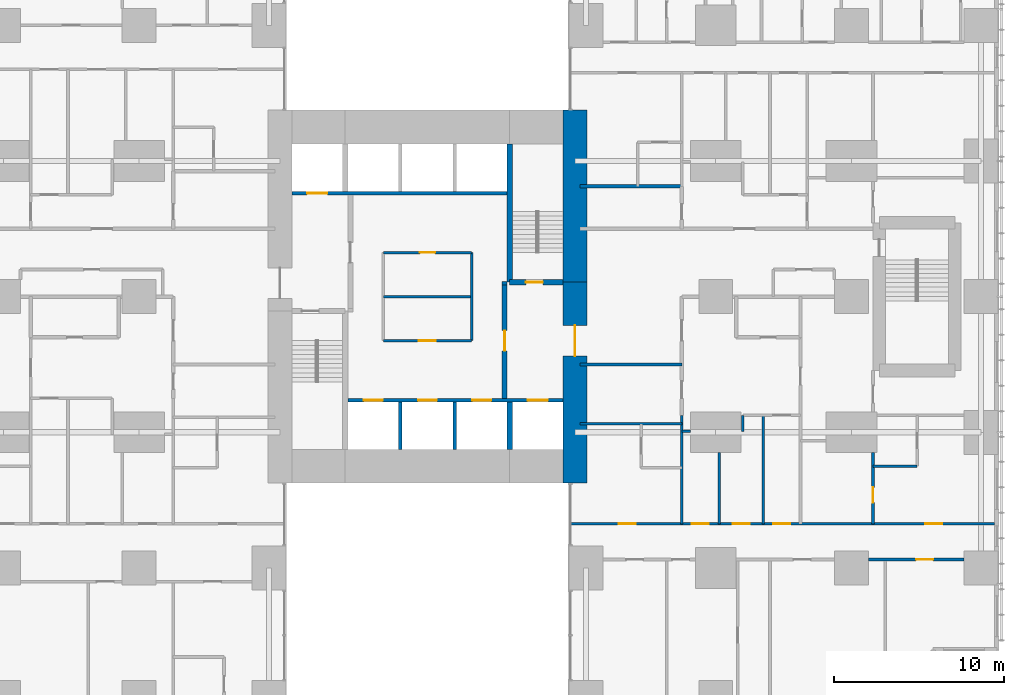
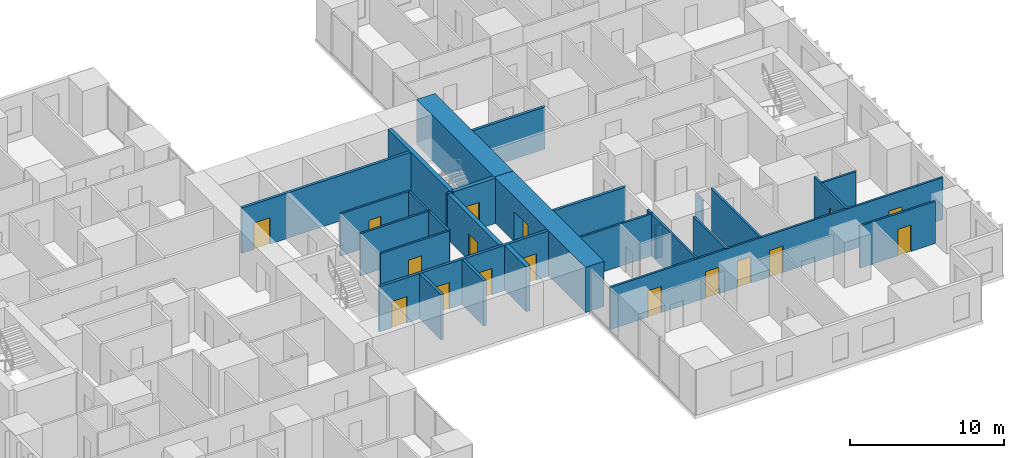
# One storey, part 15 of 21: 27 walls, 17 doors, 17 openings.
"""IFC4 building model written with IfcOpenShell, lengths in metres."""

from ifc_helpers import new_model, si_unit, direction, frame, frame_2d, origin, place, context, subcontext, project, spatial, rectangle, extrude, material, layer, layer_set, type_object, element, fill, save


model = new_model("IFC4")

# Units and contexts
model_context = context("Model", 3, precision=1e-05, world=origin(), true_north=direction((0.0, 1.0)))
body_context = subcontext(model_context, "Body", "Model", "MODEL_VIEW")
ifc_project = project(units=[si_unit("LENGTHUNIT", "METRE"), si_unit("AREAUNIT", "SQUARE_METRE"), si_unit("VOLUMEUNIT", "CUBIC_METRE"), si_unit("PLANEANGLEUNIT", "RADIAN"), si_unit("MASSUNIT", "GRAM", prefix="KILO")], contexts=[model_context])

# Site, building, storey
site_placement = place(None, origin())
site = spatial("IfcSite", under=ifc_project, at=site_placement, CompositionType="ELEMENT")
building_placement = place(site_placement, origin())
building = spatial("IfcBuilding", under=site, at=building_placement, Name="Cleftline Residences", CompositionType="ELEMENT")
storey_placement = place(building_placement, frame((0.0, 0.0, 58.39990234375)))
storey = spatial("IfcBuildingStorey", under=building, at=storey_placement, Name="L14", CompositionType="ELEMENT", Elevation=58.39990234375)

# Wall, opening, door
ifc_material_1 = material(Name="Concrete B70", Category="concrete")
ifc_layer_1 = layer(ifc_material_1, 1.39990234375)
ifc_layer_set_1 = layer_set([ifc_layer_1], Name="CORE WALL 1400")
wall_type_1 = type_object("IfcWallType", Name="CORE WALL 1400", PredefinedType="SHEAR", material=ifc_layer_set_1)
wall_1_placement = place(storey_placement, frame((41.699951171875, 13.0, 0.0), z_axis=(0.0, 0.0, 1.0), x_axis=(0.0, 1.0, 0.0)))
wall_1 = element("IfcWall", 1, at=wall_1_placement, inside=storey, type_object=wall_type_1, Name="Core wall E", PredefinedType="SHEAR", context=body_context, shape_type="SweptSolid", body=[
    extrude(rectangle(XDim=11.85009765625, YDim=1.39990234375, at=frame_2d((5.925048828125, 0.0))), origin(), (0.0, 0.0, 1.0), 3.60009765625),
])
opening_1_placement = place(wall_1_placement, frame((7.5, 0.0, 0.0)))
opening_1 = element("IfcOpeningElement", 2, at=opening_1_placement, cuts=wall_1, Name="Opening D7", PredefinedType="OPENING", context=body_context, shape_type="SweptSolid", body=[
    extrude(rectangle(XDim=1.800048828125, YDim=2.39990234375, at=frame_2d((0.89990234375, 1.199951171875))), frame((0.0, 0.7099609375, 0.0), z_axis=(0.0, -1.0, 0.0), x_axis=(1.0, 0.0, 0.0)), (0.0, 0.0, 1.0), 1.419921875),
])
ifc_material_2 = material(Name="Steel", Category="steel")
door_type_1 = type_object("IfcDoorType", Name="WING DOOR 1800X2400", OperationType="DOUBLE_DOOR_DOUBLE_SWING", PredefinedType="DOOR", material=ifc_material_2)
door_1_placement = place(opening_1_placement, origin())
door_1 = element("IfcDoor", 3, at=door_1_placement, inside=storey, type_object=door_type_1, Name="East wing door", OperationType="DOUBLE_DOOR_DOUBLE_SWING", OverallHeight=2.39990234375, OverallWidth=1.800048828125, PredefinedType="DOOR", context=body_context, shape_type="SweptSolid", body=[
    extrude(rectangle(XDim=1.800048828125, YDim=2.39990234375, at=frame_2d((0.89990234375, 1.199951171875))), frame((0.0, 0.02490234375, 0.0), z_axis=(0.0, -1.0, 0.0), x_axis=(1.0, 0.0, 0.0)), (0.0, 0.0, 1.0), 0.050048828125),
])
fill(opening_1, door_1)

# Walls
wall_2_placement = place(storey_placement, frame((41.699951171875, 24.85009765625, 0.0), z_axis=(0.0, 0.0, 1.0), x_axis=(0.0, 1.0, 0.0)))
element("IfcWall", 4, at=wall_2_placement, inside=storey, type_object=wall_type_1, Name="Core wall E1", PredefinedType="SHEAR", context=body_context, shape_type="SweptSolid", body=[
    extrude(rectangle(XDim=10.14990234375, YDim=1.39990234375, at=frame_2d((5.074951171875, 0.0))), origin(), (0.0, 0.0, 1.0), 3.60009765625),
])
ifc_material_3 = material(Name="Concrete B70", Category="concrete")
ifc_layer_2 = layer(ifc_material_3, 0.300048828125)
ifc_layer_set_2 = layer_set([ifc_layer_2], Name="CORE WALL 300")
wall_type_2 = type_object("IfcWallType", Name="CORE WALL 300", PredefinedType="SHEAR", material=ifc_layer_set_2)
wall_3_placement = place(storey_placement, frame((37.85009765625, 24.85009765625, 0.0), z_axis=(0.0, 0.0, 1.0), x_axis=(0.0, 1.0, 0.0)))
element("IfcWall", 5, at=wall_3_placement, inside=storey, type_object=wall_type_2, Name="Core wall SB-W", PredefinedType="SHEAR", context=body_context, shape_type="SweptSolid", body=[
    extrude(rectangle(XDim=8.14990234375, YDim=0.300048828125, at=frame_2d((4.074951171875, 0.0))), origin(), (0.0, 0.0, 1.0), 3.60009765625),
])

# Wall, opening, door
wall_4_placement = place(storey_placement, frame((37.85009765625, 24.85009765625, 0.0), z_axis=(0.0, 0.0, 1.0), x_axis=(1.0, 0.0, 0.0)))
wall_4 = element("IfcWall", 6, at=wall_4_placement, inside=storey, type_object=wall_type_2, Name="Core wall SB-S", PredefinedType="SHEAR", context=body_context, shape_type="SweptSolid", body=[
    extrude(rectangle(XDim=3.14990234375, YDim=0.300048828125, at=frame_2d((1.574951171875, 0.0))), origin(), (0.0, 0.0, 1.0), 3.60009765625),
])
opening_2_placement = place(wall_4_placement, frame((0.949951171875, 0.0, 0.0)))
opening_2 = element("IfcOpeningElement", 7, at=opening_2_placement, cuts=wall_4, Name="Opening D5", PredefinedType="OPENING", context=body_context, shape_type="SweptSolid", body=[
    extrude(rectangle(XDim=1.0, YDim=2.10009765625, at=frame_2d((0.5, 1.050048828125))), frame((0.0, 0.159912109375, 0.0), z_axis=(0.0, -1.0, 0.0), x_axis=(1.0, 0.0, 0.0)), (0.0, 0.0, 1.0), 0.320068359375),
])
ifc_material_4 = material(Name="Steel", Category="steel")
door_type_2 = type_object("IfcDoorType", Name="STAIR DOOR 1000X2100", OperationType="SINGLE_SWING_LEFT", PredefinedType="DOOR", material=ifc_material_4)
door_2_placement = place(opening_2_placement, origin())
door_2 = element("IfcDoor", 8, at=door_2_placement, inside=storey, type_object=door_type_2, Name="Stair B door", OperationType="SINGLE_SWING_RIGHT", OverallHeight=2.10009765625, OverallWidth=1.0, PredefinedType="DOOR", context=body_context, shape_type="SweptSolid", body=[
    extrude(rectangle(XDim=1.0, YDim=2.10009765625, at=frame_2d((0.5, 1.050048828125))), frame((0.0, 0.02490234375, 0.0), z_axis=(0.0, -1.0, 0.0), x_axis=(1.0, 0.0, 0.0)), (0.0, 0.0, 1.0), 0.050048828125),
])
fill(opening_2, door_2)

# Walls
wall_5_placement = place(storey_placement, frame((37.85009765625, 15.0, 0.0), z_axis=(0.0, 0.0, 1.0), x_axis=(0.0, 1.0, 0.0)))
element("IfcWall", 9, at=wall_5_placement, inside=storey, type_object=wall_type_2, Name="Lift shaft wall", PredefinedType="SHEAR", context=body_context, shape_type="SweptSolid", body=[
    extrude(rectangle(XDim=2.800048828125, YDim=0.300048828125, at=frame_2d((1.39990234375, 0.0))), origin(), (0.0, 0.0, 1.0), 3.60009765625),
])
ifc_material_5 = material(Name="Concrete blockwork, fire rated", Category="masonry")
ifc_layer_3 = layer(ifc_material_5, 0.199951171875)
ifc_layer_set_3 = layer_set([ifc_layer_3], Name="FIRE WALL 200")
wall_type_3 = type_object("IfcWallType", Name="FIRE WALL 200", PredefinedType="PARTITIONING", material=ifc_layer_set_3)
for number, where, z_axis, x_axis, name in (
    (10, (42.0, 20.0, 0.0), (0.0, 0.0, 1.0), (1.0, 0.0, 0.0), "Fire separating wall"),
    (11, (42.0, 30.5, 0.0), (0.0, 0.0, 1.0), (1.0, 0.0, 0.0), "Fire separating wall"),
):
    element("IfcWall", number, at=place(storey_placement, frame(where, z_axis=z_axis, x_axis=x_axis)), inside=storey, type_object=wall_type_3, Name=name, PredefinedType="PARTITIONING", context=body_context, shape_type="SweptSolid", body=[
        extrude(rectangle(XDim=6.0, YDim=0.199951171875, at=frame_2d((3.0, 0.0))), origin(), (0.0, 0.0, 1.0), 3.35009765625),
    ])
wall_6_placement = place(storey_placement, frame((37.39990234375, 24.800048828125, 0.0), z_axis=(0.0, 0.0, 1.0), x_axis=(1.0, 0.0, 0.0)))
element("IfcWall", 12, at=wall_6_placement, inside=storey, type_object=wall_type_3, Name="Fire separating wall", PredefinedType="PARTITIONING", context=body_context, shape_type="SweptSolid", body=[
    extrude(rectangle(XDim=0.300048828125, YDim=0.199951171875, at=frame_2d((0.14990234375, 0.0))), origin(), (0.0, 0.0, 1.0), 3.60009765625),
])

# Wall, opening, door
ifc_material_6 = material(Name="Gypsum board on steel studs", Category="steel")
ifc_layer_4 = layer(ifc_material_6, 0.14990234375)
ifc_layer_set_4 = layer_set([ifc_layer_4], Name="PARTITION 150")
wall_type_4 = type_object("IfcWallType", Name="PARTITION 150", PredefinedType="PARTITIONING", material=ifc_layer_set_4)
wall_7_placement = place(storey_placement, frame((59.0, 8.5, 0.0), z_axis=(0.0, 0.0, 1.0), x_axis=(1.0, 0.0, 0.0)))
wall_7 = element("IfcWall", 13, at=wall_7_placement, inside=storey, type_object=wall_type_4, Name="Partition", PredefinedType="PARTITIONING", context=body_context, shape_type="SweptSolid", body=[
    extrude(rectangle(XDim=5.64990234375, YDim=0.14990234375, at=frame_2d((2.824951171875, 0.0))), origin(), (0.0, 0.0, 1.0), 3.35009765625),
])
opening_3_placement = place(wall_7_placement, frame((2.824951171875, 0.0, 0.0)))
opening_3 = element("IfcOpeningElement", 14, at=opening_3_placement, cuts=wall_7, Name="Opening D2", PredefinedType="OPENING", context=body_context, shape_type="SweptSolid", body=[
    extrude(rectangle(XDim=1.0, YDim=2.10009765625, at=frame_2d((0.5, 1.050048828125))), frame((0.0, 0.0849609375, 0.0), z_axis=(0.0, -1.0, 0.0), x_axis=(1.0, 0.0, 0.0)), (0.0, 0.0, 1.0), 0.169921875),
])
ifc_material_7 = material(Name="Timber veneer on solid core", Category="wood")
door_type_3 = type_object("IfcDoorType", Name="DOOR 1000X2100", OperationType="SINGLE_SWING_LEFT", PredefinedType="DOOR", material=ifc_material_7)
door_3_placement = place(opening_3_placement, origin())
door_3 = element("IfcDoor", 15, at=door_3_placement, inside=storey, type_object=door_type_3, Name="Door to winter garden", OperationType="SINGLE_SWING_LEFT", OverallHeight=2.10009765625, OverallWidth=1.0, PredefinedType="DOOR", context=body_context, shape_type="SweptSolid", body=[
    extrude(rectangle(XDim=1.0, YDim=2.10009765625, at=frame_2d((0.5, 1.050048828125))), frame((0.0, 0.02490234375, 0.0), z_axis=(0.0, -1.0, 0.0), x_axis=(1.0, 0.0, 0.0)), (0.0, 0.0, 1.0), 0.050048828125),
])
fill(opening_3, door_3)

# Wall, openings, doors
wall_8_placement = place(storey_placement, frame((41.43896484375, 10.60009765625, 0.0), z_axis=(0.0, 0.0, 1.0), x_axis=(1.0, 0.0, 0.0)))
wall_8 = element("IfcWall", 16, at=wall_8_placement, inside=storey, type_object=wall_type_4, Name="Partition", PredefinedType="PARTITIONING", context=body_context, shape_type="SweptSolid", body=[
    extrude(rectangle(XDim=25.010986328125, YDim=0.14990234375, at=frame_2d((12.50537109375, 0.0))), origin(), (0.0, 0.0, 1.0), 3.35009765625),
])
opening_4_placement = place(wall_8_placement, frame((11.9609375, 0.0, 0.0)))
opening_4 = element("IfcOpeningElement", 17, at=opening_4_placement, cuts=wall_8, Name="Opening D2F30", PredefinedType="OPENING", context=body_context, shape_type="SweptSolid", body=[
    extrude(rectangle(XDim=1.0, YDim=2.10009765625, at=frame_2d((0.5, 1.050048828125))), frame((0.0, 0.0849609375, 0.0), z_axis=(0.0, -1.0, 0.0), x_axis=(1.0, 0.0, 0.0)), (0.0, 0.0, 1.0), 0.169921875),
])
opening_5_placement = place(wall_8_placement, frame((20.923583984375, 0.0, 0.0)))
opening_5 = element("IfcOpeningElement", 18, at=opening_5_placement, cuts=wall_8, Name="Opening D2F30", PredefinedType="OPENING", context=body_context, shape_type="SweptSolid", body=[
    extrude(rectangle(XDim=1.0, YDim=2.10009765625, at=frame_2d((0.5, 1.050048828125))), frame((0.0, 0.0849609375, 0.0), z_axis=(0.0, -1.0, 0.0), x_axis=(1.0, 0.0, 0.0)), (0.0, 0.0, 1.0), 0.169921875),
])
opening_6_placement = place(wall_8_placement, frame((9.56103515625, 0.0, 0.0)))
opening_6 = element("IfcOpeningElement", 19, at=opening_6_placement, cuts=wall_8, Name="Opening D2F30", PredefinedType="OPENING", context=body_context, shape_type="SweptSolid", body=[
    extrude(rectangle(XDim=1.0, YDim=2.10009765625, at=frame_2d((0.5, 1.050048828125))), frame((0.0, 0.0849609375, 0.0), z_axis=(0.0, -1.0, 0.0), x_axis=(1.0, 0.0, 0.0)), (0.0, 0.0, 1.0), 0.169921875),
])
opening_7_placement = place(wall_8_placement, frame((7.160888671875, 0.0, 0.0)))
opening_7 = element("IfcOpeningElement", 20, at=opening_7_placement, cuts=wall_8, Name="Opening D2F30", PredefinedType="OPENING", context=body_context, shape_type="SweptSolid", body=[
    extrude(rectangle(XDim=1.0, YDim=2.10009765625, at=frame_2d((0.5, 1.050048828125))), frame((0.0, 0.0849609375, 0.0), z_axis=(0.0, -1.0, 0.0), x_axis=(1.0, 0.0, 0.0)), (0.0, 0.0, 1.0), 0.169921875),
])
opening_8_placement = place(wall_8_placement, frame((2.8359375, 0.0, 0.0)))
opening_8 = element("IfcOpeningElement", 21, at=opening_8_placement, cuts=wall_8, Name="Opening D2F30", PredefinedType="OPENING", context=body_context, shape_type="SweptSolid", body=[
    extrude(rectangle(XDim=1.0, YDim=2.10009765625, at=frame_2d((0.5, 1.050048828125))), frame((0.0, 0.0849609375, 0.0), z_axis=(0.0, -1.0, 0.0), x_axis=(1.0, 0.0, 0.0)), (0.0, 0.0, 1.0), 0.169921875),
])
ifc_material_8 = material(Name="Timber veneer on solid core", Category="wood")
door_type_4 = type_object("IfcDoorType", Name="DOOR 1000X2100 EI 30", OperationType="SINGLE_SWING_LEFT", PredefinedType="DOOR", material=ifc_material_8)
door_4_placement = place(opening_4_placement, origin())
door_4 = element("IfcDoor", 22, at=door_4_placement, inside=storey, type_object=door_type_4, Name="Door to residence hall (gallery)", OperationType="SINGLE_SWING_RIGHT", OverallHeight=2.10009765625, OverallWidth=1.0, PredefinedType="DOOR", context=body_context, shape_type="SweptSolid", body=[
    extrude(rectangle(XDim=1.0, YDim=2.10009765625, at=frame_2d((0.5, 1.050048828125))), frame((0.0, 0.02490234375, 0.0), z_axis=(0.0, -1.0, 0.0), x_axis=(1.0, 0.0, 0.0)), (0.0, 0.0, 1.0), 0.050048828125),
])
fill(opening_4, door_4)
door_5_placement = place(opening_5_placement, origin())
door_5 = element("IfcDoor", 23, at=door_5_placement, inside=storey, type_object=door_type_4, Name="Door to master bedroom", OperationType="SINGLE_SWING_LEFT", OverallHeight=2.10009765625, OverallWidth=1.0, PredefinedType="DOOR", context=body_context, shape_type="SweptSolid", body=[
    extrude(rectangle(XDim=1.0, YDim=2.10009765625, at=frame_2d((0.5, 1.050048828125))), frame((0.0, 0.02490234375, 0.0), z_axis=(0.0, -1.0, 0.0), x_axis=(1.0, 0.0, 0.0)), (0.0, 0.0, 1.0), 0.050048828125),
])
fill(opening_5, door_5)
door_6_placement = place(opening_6_placement, origin())
door_6 = element("IfcDoor", 24, at=door_6_placement, inside=storey, type_object=door_type_4, Name="Door to dining room", OperationType="SINGLE_SWING_RIGHT", OverallHeight=2.10009765625, OverallWidth=1.0, PredefinedType="DOOR", context=body_context, shape_type="SweptSolid", body=[
    extrude(rectangle(XDim=1.0, YDim=2.10009765625, at=frame_2d((0.5, 1.050048828125))), frame((0.0, 0.02490234375, 0.0), z_axis=(0.0, -1.0, 0.0), x_axis=(1.0, 0.0, 0.0)), (0.0, 0.0, 1.0), 0.050048828125),
])
fill(opening_6, door_6)
door_7_placement = place(opening_7_placement, origin())
door_7 = element("IfcDoor", 25, at=door_7_placement, inside=storey, type_object=door_type_4, Name="Door to show kitchen", OperationType="SINGLE_SWING_RIGHT", OverallHeight=2.10009765625, OverallWidth=1.0, PredefinedType="DOOR", context=body_context, shape_type="SweptSolid", body=[
    extrude(rectangle(XDim=1.0, YDim=2.10009765625, at=frame_2d((0.5, 1.050048828125))), frame((0.0, 0.02490234375, 0.0), z_axis=(0.0, -1.0, 0.0), x_axis=(1.0, 0.0, 0.0)), (0.0, 0.0, 1.0), 0.050048828125),
])
fill(opening_7, door_7)
door_8_placement = place(opening_8_placement, origin())
door_8 = element("IfcDoor", 26, at=door_8_placement, inside=storey, type_object=door_type_4, Name="Door to bedroom 3", OperationType="SINGLE_SWING_RIGHT", OverallHeight=2.10009765625, OverallWidth=1.0, PredefinedType="DOOR", context=body_context, shape_type="SweptSolid", body=[
    extrude(rectangle(XDim=1.0, YDim=2.10009765625, at=frame_2d((0.5, 1.050048828125))), frame((0.0, 0.02490234375, 0.0), z_axis=(0.0, -1.0, 0.0), x_axis=(1.0, 0.0, 0.0)), (0.0, 0.0, 1.0), 0.050048828125),
])
fill(opening_8, door_8)

# Walls
wall_9_placement = place(storey_placement, frame((59.27490234375, 14.0, 0.0), z_axis=(0.0, 0.0, 1.0), x_axis=(1.0, 0.0, 0.0)))
element("IfcWall", 27, at=wall_9_placement, inside=storey, type_object=wall_type_4, Name="Partition", PredefinedType="PARTITIONING", context=body_context, shape_type="SweptSolid", body=[
    extrude(rectangle(XDim=2.60009765625, YDim=0.14990234375, at=frame_2d((1.300048828125, 0.0))), origin(), (0.0, 0.0, 1.0), 3.35009765625),
])
wall_10_placement = place(storey_placement, frame((48.0, 16.050048828125, 0.0), z_axis=(0.0, 0.0, 1.0), x_axis=(1.0, 0.0, 0.0)))
element("IfcWall", 28, at=wall_10_placement, inside=storey, type_object=wall_type_4, Name="Partition", PredefinedType="PARTITIONING", context=body_context, shape_type="SweptSolid", body=[
    extrude(rectangle(XDim=0.5, YDim=0.14990234375, at=frame_2d((0.25, 0.0))), origin(), (0.0, 0.0, 1.0), 2.634033203125),
])
wall_11_placement = place(storey_placement, frame((42.0, 16.5, 0.0), z_axis=(0.0, 0.0, 1.0), x_axis=(1.0, 0.0, 0.0)))
element("IfcWall", 29, at=wall_11_placement, inside=storey, type_object=wall_type_4, Name="Partition", PredefinedType="PARTITIONING", context=body_context, shape_type="SweptSolid", body=[
    extrude(rectangle(XDim=6.0, YDim=0.14990234375, at=frame_2d((3.0, 0.0))), origin(), (0.0, 0.0, 1.0), 3.35009765625),
])
wall_12_placement = place(storey_placement, frame((48.0, 10.60009765625, 0.0), z_axis=(0.0, 0.0, 1.0), x_axis=(0.0, 1.0, 0.0)))
element("IfcWall", 30, at=wall_12_placement, inside=storey, type_object=wall_type_4, Name="Partition", PredefinedType="PARTITIONING", context=body_context, shape_type="SweptSolid", body=[
    extrude(rectangle(XDim=6.39990234375, YDim=0.14990234375, at=frame_2d((3.199951171875, 0.0))), origin(), (0.0, 0.0, 1.0), 3.35009765625),
])
wall_13_placement = place(storey_placement, frame((50.199951171875, 10.60009765625, 0.0), z_axis=(0.0, 0.0, 1.0), x_axis=(0.0, 1.0, 0.0)))
element("IfcWall", 31, at=wall_13_placement, inside=storey, type_object=wall_type_4, Name="Partition", PredefinedType="PARTITIONING", context=body_context, shape_type="SweptSolid", body=[
    extrude(rectangle(XDim=4.199951171875, YDim=0.14990234375, at=frame_2d((2.10009765625, 0.0))), origin(), (0.0, 0.0, 1.0), 3.35009765625),
])
wall_14_placement = place(storey_placement, frame((51.60009765625, 16.050048828125, 0.0), z_axis=(0.0, 0.0, 1.0), x_axis=(0.0, 1.0, 0.0)))
element("IfcWall", 32, at=wall_14_placement, inside=storey, type_object=wall_type_4, Name="Partition", PredefinedType="PARTITIONING", context=body_context, shape_type="SweptSolid", body=[
    extrude(rectangle(XDim=0.949951171875, YDim=0.14990234375, at=frame_2d((0.47509765625, 0.0))), origin(), (0.0, 0.0, 1.0), 3.35009765625),
])
wall_15_placement = place(storey_placement, frame((52.800048828125, 10.60009765625, 0.0), z_axis=(0.0, 0.0, 1.0), x_axis=(0.0, 1.0, 0.0)))
element("IfcWall", 33, at=wall_15_placement, inside=storey, type_object=wall_type_4, Name="Partition", PredefinedType="PARTITIONING", context=body_context, shape_type="SweptSolid", body=[
    extrude(rectangle(XDim=6.39990234375, YDim=0.14990234375, at=frame_2d((3.199951171875, 0.0))), origin(), (0.0, 0.0, 1.0), 3.35009765625),
])

# Wall, opening, door
wall_16_placement = place(storey_placement, frame((59.27490234375, 10.60009765625, 0.0), z_axis=(0.0, 0.0, 1.0), x_axis=(0.0, 1.0, 0.0)))
wall_16 = element("IfcWall", 34, at=wall_16_placement, inside=storey, type_object=wall_type_4, Name="Partition", PredefinedType="PARTITIONING", context=body_context, shape_type="SweptSolid", body=[
    extrude(rectangle(XDim=4.199951171875, YDim=0.14990234375, at=frame_2d((2.10009765625, 0.0))), origin(), (0.0, 0.0, 1.0), 3.35009765625),
])
opening_9_placement = place(wall_16_placement, frame((1.25, 0.0, 0.0)))
opening_9 = element("IfcOpeningElement", 35, at=opening_9_placement, cuts=wall_16, Name="Opening D1", PredefinedType="OPENING", context=body_context, shape_type="SweptSolid", body=[
    extrude(rectangle(XDim=0.89990234375, YDim=2.10009765625, at=frame_2d((0.449951171875, 1.050048828125))), frame((0.0, 0.0849609375, 0.0), z_axis=(0.0, -1.0, 0.0), x_axis=(1.0, 0.0, 0.0)), (0.0, 0.0, 1.0), 0.169921875),
])
ifc_material_9 = material(Name="Timber veneer on solid core", Category="wood")
door_type_5 = type_object("IfcDoorType", Name="DOOR 900X2100", OperationType="SINGLE_SWING_LEFT", PredefinedType="DOOR", material=ifc_material_9)
door_9_placement = place(opening_9_placement, origin())
door_9 = element("IfcDoor", 36, at=door_9_placement, inside=storey, type_object=door_type_5, Name="Door to master dressing room", OperationType="SINGLE_SWING_RIGHT", OverallHeight=2.10009765625, OverallWidth=0.89990234375, PredefinedType="DOOR", context=body_context, shape_type="SweptSolid", body=[
    extrude(rectangle(XDim=0.89990234375, YDim=2.10009765625, at=frame_2d((0.449951171875, 1.050048828125))), frame((0.0, 0.02490234375, 0.0), z_axis=(0.0, -1.0, 0.0), x_axis=(1.0, 0.0, 0.0)), (0.0, 0.0, 1.0), 0.050048828125),
])
fill(opening_9, door_9)

ifc_material_10 = material(Name="Fire-resisting gypsum board on steel studs", Category="steel")
ifc_layer_5 = layer(ifc_material_10, 0.14990234375)
ifc_layer_set_5 = layer_set([ifc_layer_5], Name="PARTITION 150 EI 60")
wall_type_5 = type_object("IfcWallType", Name="PARTITION 150 EI 60", PredefinedType="PARTITIONING", material=ifc_layer_set_5)
wall_17_placement = place(storey_placement, frame((30.39990234375, 21.39990234375, 0.0), z_axis=(0.0, 0.0, 1.0), x_axis=(1.0, 0.0, 0.0)))
wall_17 = element("IfcWall", 37, at=wall_17_placement, inside=storey, type_object=wall_type_5, Name="Core room partition", PredefinedType="PARTITIONING", context=body_context, shape_type="SweptSolid", body=[
    extrude(rectangle(XDim=5.2001953125, YDim=0.14990234375, at=frame_2d((2.60009765625, 0.0))), origin(), (0.0, 0.0, 1.0), 3.35009765625),
])
opening_10_placement = place(wall_17_placement, frame((2.10009765625, 0.0, 0.0)))
opening_10 = element("IfcOpeningElement", 38, at=opening_10_placement, cuts=wall_17, Name="Opening D2F60", PredefinedType="OPENING", context=body_context, shape_type="SweptSolid", body=[
    extrude(rectangle(XDim=1.0, YDim=2.10009765625, at=frame_2d((0.5, 1.050048828125))), frame((0.0, 0.0849609375, 0.0), z_axis=(0.0, -1.0, 0.0), x_axis=(1.0, 0.0, 0.0)), (0.0, 0.0, 1.0), 0.169921875),
])
ifc_material_11 = material(Name="Timber veneer on solid core", Category="wood")
door_type_6 = type_object("IfcDoorType", Name="DOOR 1000X2100 EI 60", OperationType="SINGLE_SWING_LEFT", PredefinedType="DOOR", material=ifc_material_11)
door_10_placement = place(opening_10_placement, origin())
door_10 = element("IfcDoor", 39, at=door_10_placement, inside=storey, type_object=door_type_6, Name="Door to electrical room", OperationType="SINGLE_SWING_LEFT", OverallHeight=2.10009765625, OverallWidth=1.0, PredefinedType="DOOR", context=body_context, shape_type="SweptSolid", body=[
    extrude(rectangle(XDim=1.0, YDim=2.10009765625, at=frame_2d((0.5, 1.050048828125))), frame((0.0, 0.02490234375, 0.0), z_axis=(0.0, -1.0, 0.0), x_axis=(1.0, 0.0, 0.0)), (0.0, 0.0, 1.0), 0.050048828125),
])
fill(opening_10, door_10)

wall_18_placement = place(storey_placement, frame((30.39990234375, 26.60009765625, 0.0), z_axis=(0.0, 0.0, 1.0), x_axis=(1.0, 0.0, 0.0)))
wall_18 = element("IfcWall", 40, at=wall_18_placement, inside=storey, type_object=wall_type_5, Name="Core room partition", PredefinedType="PARTITIONING", context=body_context, shape_type="SweptSolid", body=[
    extrude(rectangle(XDim=5.2001953125, YDim=0.14990234375, at=frame_2d((2.60009765625, 0.0))), origin(), (0.0, 0.0, 1.0), 3.35009765625),
])
opening_11_placement = place(wall_18_placement, frame((2.14990234375, 0.0, 0.0)))
opening_11 = element("IfcOpeningElement", 41, at=opening_11_placement, cuts=wall_18, Name="Opening D1F30", PredefinedType="OPENING", context=body_context, shape_type="SweptSolid", body=[
    extrude(rectangle(XDim=0.89990234375, YDim=2.10009765625, at=frame_2d((0.449951171875, 1.050048828125))), frame((0.0, 0.0849609375, 0.0), z_axis=(0.0, -1.0, 0.0), x_axis=(1.0, 0.0, 0.0)), (0.0, 0.0, 1.0), 0.169921875),
])
ifc_material_12 = material(Name="Timber veneer on solid core", Category="wood")
door_type_7 = type_object("IfcDoorType", Name="DOOR 900X2100 EI 30", OperationType="SINGLE_SWING_LEFT", PredefinedType="DOOR", material=ifc_material_12)
door_11_placement = place(opening_11_placement, origin())
door_11 = element("IfcDoor", 42, at=door_11_placement, inside=storey, type_object=door_type_7, Name="Door to maintenance store", OperationType="SINGLE_SWING_LEFT", OverallHeight=2.10009765625, OverallWidth=0.89990234375, PredefinedType="DOOR", context=body_context, shape_type="SweptSolid", body=[
    extrude(rectangle(XDim=0.89990234375, YDim=2.10009765625, at=frame_2d((0.449951171875, 1.050048828125))), frame((0.0, 0.02490234375, 0.0), z_axis=(0.0, -1.0, 0.0), x_axis=(1.0, 0.0, 0.0)), (0.0, 0.0, 1.0), 0.050048828125),
])
fill(opening_11, door_11)

# Walls
for number, where, z_axis, x_axis, name in (
    (43, (35.60009765625, 21.39990234375, 0.0), (0.0, 0.0, 1.0), (0.0, 1.0, 0.0), "Core room partition"),
    (44, (30.39990234375, 24.0, 0.0), (0.0, 0.0, 1.0), (1.0, 0.0, 0.0), "Core room partition"),
):
    element("IfcWall", number, at=place(storey_placement, frame(where, z_axis=z_axis, x_axis=x_axis)), inside=storey, type_object=wall_type_5, Name=name, PredefinedType="PARTITIONING", context=body_context, shape_type="SweptSolid", body=[
        extrude(rectangle(XDim=5.2001953125, YDim=0.14990234375, at=frame_2d((2.60009765625, 0.0))), origin(), (0.0, 0.0, 1.0), 3.35009765625),
    ])

# Wall, openings, doors
ifc_material_13 = material(Name="Concrete blockwork, fire rated", Category="masonry")
ifc_layer_6 = layer(ifc_material_13, 0.199951171875)
ifc_layer_set_6 = layer_set([ifc_layer_6], Name="SHAFT WALL 200")
wall_type_6 = type_object("IfcWallType", Name="SHAFT WALL 200", PredefinedType="PARTITIONING", material=ifc_layer_set_6)
wall_19_placement = place(storey_placement, frame((28.300048828125, 17.89990234375, 0.0), z_axis=(0.0, 0.0, 1.0), x_axis=(1.0, 0.0, 0.0)))
wall_19 = element("IfcWall", 45, at=wall_19_placement, inside=storey, type_object=wall_type_6, Name="Lift shaft wall", PredefinedType="PARTITIONING", context=body_context, shape_type="SweptSolid", body=[
    extrude(rectangle(XDim=12.699951171875, YDim=0.199951171875, at=frame_2d((6.35009765625, 0.0))), origin(), (0.0, 0.0, 1.0), 3.60009765625),
])
opening_12_placement = place(wall_19_placement, frame((0.949951171875, 0.0, 0.0)))
opening_12 = element("IfcOpeningElement", 46, at=opening_12_placement, cuts=wall_19, Name="Opening LD1", PredefinedType="OPENING", context=body_context, shape_type="SweptSolid", body=[
    extrude(rectangle(XDim=1.10009765625, YDim=2.10009765625, at=frame_2d((0.550048828125, 1.050048828125))), frame((0.0, 0.10986328125, 0.0), z_axis=(0.0, -1.0, 0.0), x_axis=(1.0, 0.0, 0.0)), (0.0, 0.0, 1.0), 0.219970703125),
])
opening_13_placement = place(wall_19_placement, frame((4.14990234375, 0.0, 0.0)))
opening_13 = element("IfcOpeningElement", 47, at=opening_13_placement, cuts=wall_19, Name="Opening LD1", PredefinedType="OPENING", context=body_context, shape_type="SweptSolid", body=[
    extrude(rectangle(XDim=1.10009765625, YDim=2.10009765625, at=frame_2d((0.550048828125, 1.050048828125))), frame((0.0, 0.10986328125, 0.0), z_axis=(0.0, -1.0, 0.0), x_axis=(1.0, 0.0, 0.0)), (0.0, 0.0, 1.0), 0.219970703125),
])
opening_14_placement = place(wall_19_placement, frame((7.35009765625, 0.0, 0.0)))
opening_14 = element("IfcOpeningElement", 48, at=opening_14_placement, cuts=wall_19, Name="Opening LD1", PredefinedType="OPENING", context=body_context, shape_type="SweptSolid", body=[
    extrude(rectangle(XDim=1.10009765625, YDim=2.10009765625, at=frame_2d((0.550048828125, 1.050048828125))), frame((0.0, 0.10986328125, 0.0), z_axis=(0.0, -1.0, 0.0), x_axis=(1.0, 0.0, 0.0)), (0.0, 0.0, 1.0), 0.219970703125),
])
opening_15_placement = place(wall_19_placement, frame((10.60009765625, 0.0, 0.0)))
opening_15 = element("IfcOpeningElement", 49, at=opening_15_placement, cuts=wall_19, Name="Opening LD2", PredefinedType="OPENING", context=body_context, shape_type="SweptSolid", body=[
    extrude(rectangle(XDim=1.199951171875, YDim=2.10009765625, at=frame_2d((0.60009765625, 1.050048828125))), frame((0.0, 0.10986328125, 0.0), z_axis=(0.0, -1.0, 0.0), x_axis=(1.0, 0.0, 0.0)), (0.0, 0.0, 1.0), 0.219970703125),
])
ifc_material_14 = material(Name="Steel", Category="steel")
door_type_8 = type_object("IfcDoorType", Name="FIREFIGHTING LIFT LANDING DOOR 1200X2100", OperationType="SLIDING_TO_LEFT", PredefinedType="DOOR", material=ifc_material_14)
door_12_placement = place(opening_15_placement, origin())
door_12 = element("IfcDoor", 50, at=door_12_placement, inside=storey, type_object=door_type_8, Name="Lift FL2 landing door", OperationType="SLIDING_TO_LEFT", OverallHeight=2.10009765625, OverallWidth=1.199951171875, PredefinedType="DOOR", context=body_context, shape_type="SweptSolid", body=[
    extrude(rectangle(XDim=1.199951171875, YDim=2.10009765625, at=frame_2d((0.60009765625, 1.050048828125))), frame((0.0, 0.02490234375, 0.0), z_axis=(0.0, -1.0, 0.0), x_axis=(1.0, 0.0, 0.0)), (0.0, 0.0, 1.0), 0.050048828125),
])
fill(opening_15, door_12)
ifc_material_15 = material(Name="Steel", Category="steel")
door_type_9 = type_object("IfcDoorType", Name="LIFT LANDING DOOR 1100X2100", OperationType="SLIDING_TO_LEFT", PredefinedType="DOOR", material=ifc_material_15)
door_13_placement = place(opening_12_placement, origin())
door_13 = element("IfcDoor", 51, at=door_13_placement, inside=storey, type_object=door_type_9, Name="Lift P1 landing door", OperationType="SLIDING_TO_LEFT", OverallHeight=2.10009765625, OverallWidth=1.10009765625, PredefinedType="DOOR", context=body_context, shape_type="SweptSolid", body=[
    extrude(rectangle(XDim=1.10009765625, YDim=2.10009765625, at=frame_2d((0.550048828125, 1.050048828125))), frame((0.0, 0.02490234375, 0.0), z_axis=(0.0, -1.0, 0.0), x_axis=(1.0, 0.0, 0.0)), (0.0, 0.0, 1.0), 0.050048828125),
])
fill(opening_12, door_13)
door_14_placement = place(opening_13_placement, origin())
door_14 = element("IfcDoor", 52, at=door_14_placement, inside=storey, type_object=door_type_9, Name="Lift P2 landing door", OperationType="SLIDING_TO_LEFT", OverallHeight=2.10009765625, OverallWidth=1.10009765625, PredefinedType="DOOR", context=body_context, shape_type="SweptSolid", body=[
    extrude(rectangle(XDim=1.10009765625, YDim=2.10009765625, at=frame_2d((0.550048828125, 1.050048828125))), frame((0.0, 0.02490234375, 0.0), z_axis=(0.0, -1.0, 0.0), x_axis=(1.0, 0.0, 0.0)), (0.0, 0.0, 1.0), 0.050048828125),
])
fill(opening_13, door_14)
door_15_placement = place(opening_14_placement, origin())
door_15 = element("IfcDoor", 53, at=door_15_placement, inside=storey, type_object=door_type_9, Name="Lift P3 landing door", OperationType="SLIDING_TO_LEFT", OverallHeight=2.10009765625, OverallWidth=1.10009765625, PredefinedType="DOOR", context=body_context, shape_type="SweptSolid", body=[
    extrude(rectangle(XDim=1.10009765625, YDim=2.10009765625, at=frame_2d((0.550048828125, 1.050048828125))), frame((0.0, 0.02490234375, 0.0), z_axis=(0.0, -1.0, 0.0), x_axis=(1.0, 0.0, 0.0)), (0.0, 0.0, 1.0), 0.050048828125),
])
fill(opening_14, door_15)

# Wall, opening, door
wall_20_placement = place(storey_placement, frame((25.0, 30.10009765625, 0.0), z_axis=(0.0, 0.0, 1.0), x_axis=(1.0, 0.0, 0.0)))
wall_20 = element("IfcWall", 54, at=wall_20_placement, inside=storey, type_object=wall_type_6, Name="Lift shaft wall", PredefinedType="PARTITIONING", context=body_context, shape_type="SweptSolid", body=[
    extrude(rectangle(XDim=12.699951171875, YDim=0.199951171875, at=frame_2d((6.35009765625, 0.0))), origin(), (0.0, 0.0, 1.0), 3.60009765625),
])
opening_16_placement = place(wall_20_placement, frame((0.89990234375, 0.0, 0.0)))
opening_16 = element("IfcOpeningElement", 55, at=opening_16_placement, cuts=wall_20, Name="Opening LD2", PredefinedType="OPENING", context=body_context, shape_type="SweptSolid", body=[
    extrude(rectangle(XDim=1.199951171875, YDim=2.10009765625, at=frame_2d((0.60009765625, 1.050048828125))), frame((0.0, 0.10986328125, 0.0), z_axis=(0.0, -1.0, 0.0), x_axis=(1.0, 0.0, 0.0)), (0.0, 0.0, 1.0), 0.219970703125),
])
door_16_placement = place(opening_16_placement, origin())
door_16 = element("IfcDoor", 56, at=door_16_placement, inside=storey, type_object=door_type_8, Name="Lift FL1 landing door", OperationType="SLIDING_TO_LEFT", OverallHeight=2.10009765625, OverallWidth=1.199951171875, PredefinedType="DOOR", context=body_context, shape_type="SweptSolid", body=[
    extrude(rectangle(XDim=1.199951171875, YDim=2.10009765625, at=frame_2d((0.60009765625, 1.050048828125))), frame((0.0, 0.02490234375, 0.0), z_axis=(0.0, -1.0, 0.0), x_axis=(1.0, 0.0, 0.0)), (0.0, 0.0, 1.0), 0.050048828125),
])
fill(opening_16, door_16)

# Walls
for number, where, z_axis, x_axis, name in (
    (57, (31.39990234375, 15.0, 0.0), (0.0, 0.0, 1.0), (0.0, 1.0, 0.0), "Lift shaft wall"),
    (58, (34.60009765625, 15.0, 0.0), (0.0, 0.0, 1.0), (0.0, 1.0, 0.0), "Lift shaft wall"),
):
    element("IfcWall", number, at=place(storey_placement, frame(where, z_axis=z_axis, x_axis=x_axis)), inside=storey, type_object=wall_type_6, Name=name, PredefinedType="PARTITIONING", context=body_context, shape_type="SweptSolid", body=[
        extrude(rectangle(XDim=2.800048828125, YDim=0.199951171875, at=frame_2d((1.39990234375, 0.0))), origin(), (0.0, 0.0, 1.0), 3.60009765625),
    ])

# Wall, opening, door
ifc_material_16 = material(Name="Concrete blockwork, fire rated", Category="masonry")
ifc_layer_7 = layer(ifc_material_16, 0.300048828125)
ifc_layer_set_7 = layer_set([ifc_layer_7], Name="STAIR LOBBY WALL 300")
wall_type_7 = type_object("IfcWallType", Name="STAIR LOBBY WALL 300", PredefinedType="PARTITIONING", material=ifc_layer_set_7)
wall_21_placement = place(storey_placement, frame((37.550048828125, 18.0, 0.0), z_axis=(0.0, 0.0, 1.0), x_axis=(0.0, 1.0, 0.0)))
wall_21 = element("IfcWall", 59, at=wall_21_placement, inside=storey, type_object=wall_type_7, Name="Stair and lobby wall FB-W", PredefinedType="PARTITIONING", context=body_context, shape_type="SweptSolid", body=[
    extrude(rectangle(XDim=6.699951171875, YDim=0.300048828125, at=frame_2d((3.35009765625, 0.0))), origin(), (0.0, 0.0, 1.0), 3.60009765625),
])
opening_17_placement = place(wall_21_placement, frame((2.800048828125, 0.0, 0.0)))
opening_17 = element("IfcOpeningElement", 60, at=opening_17_placement, cuts=wall_21, Name="Opening D6", PredefinedType="OPENING", context=body_context, shape_type="SweptSolid", body=[
    extrude(rectangle(XDim=1.199951171875, YDim=2.10009765625, at=frame_2d((0.60009765625, 1.050048828125))), frame((0.0, 0.159912109375, 0.0), z_axis=(0.0, -1.0, 0.0), x_axis=(1.0, 0.0, 0.0)), (0.0, 0.0, 1.0), 0.320068359375),
])
ifc_material_17 = material(Name="Steel", Category="steel")
door_type_10 = type_object("IfcDoorType", Name="LOBBY DOOR 1200X2100", OperationType="SINGLE_SWING_RIGHT", PredefinedType="DOOR", material=ifc_material_17)
door_17_placement = place(opening_17_placement, origin())
door_17 = element("IfcDoor", 61, at=door_17_placement, inside=storey, type_object=door_type_10, Name="Firefighting lobby B door", OperationType="SINGLE_SWING_LEFT", OverallHeight=2.10009765625, OverallWidth=1.199951171875, PredefinedType="DOOR", context=body_context, shape_type="SweptSolid", body=[
    extrude(rectangle(XDim=1.199951171875, YDim=2.10009765625, at=frame_2d((0.60009765625, 1.050048828125))), frame((0.0, 0.02490234375, 0.0), z_axis=(0.0, -1.0, 0.0), x_axis=(1.0, 0.0, 0.0)), (0.0, 0.0, 1.0), 0.050048828125),
])
fill(opening_17, door_17)

save(model, "model.ifc")
